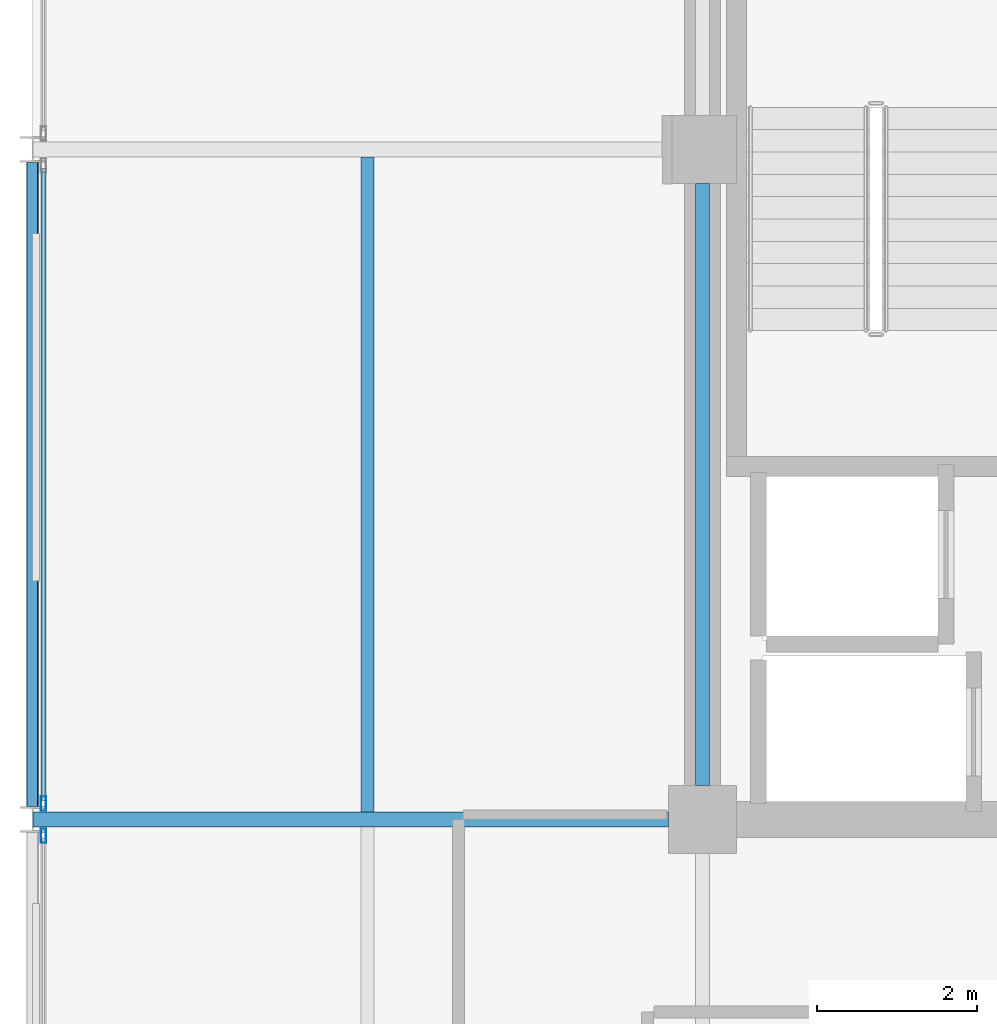
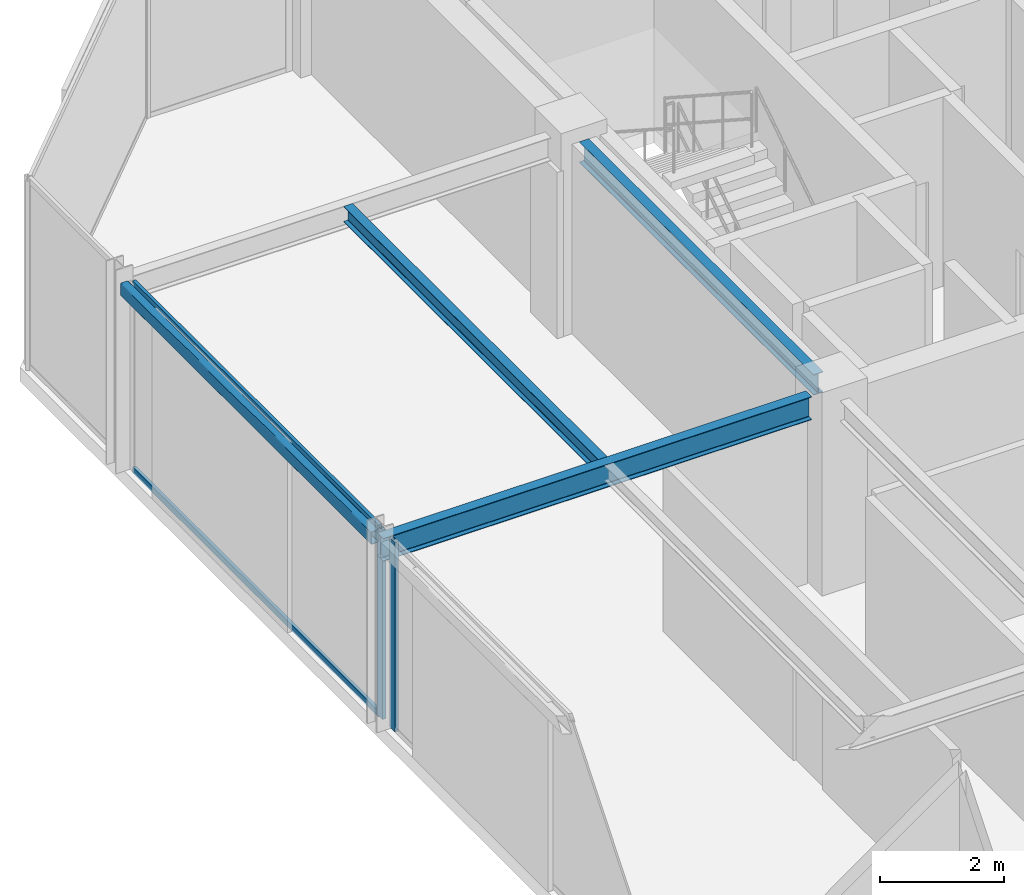
# One storey, part 11 of 26: 4 beams, 4 members, 2 elements without a shape of their own.
"""IFC4 building model written with IfcOpenShell, lengths in metres."""

import ifcopenshell
import ifcopenshell.guid

model = None  # the IFC model being written
_history = None  # IfcOwnerHistory: only IFC2X3 demands one
_inside = {}  # id of a spatial element -> (the spatial element, [elements in it])
_under = {}  # id of a project, library or spatial element -> (it, [spatial elements below it])
_declared = {}  # id of a project -> (the project, [libraries it declares])
_typed = {}  # id of a type object -> (the type object, [elements of that type])
_made_of = {}  # id of a material, layer set ... -> (it, [elements and type objects made of it])


def new_model(schema):
    """Start an empty IFC model of exactly this schema.

    Asked for "IFC4X3", IfcOpenShell would pick the latest addendum, in which some entities
    have other attributes; the version numbers below select the first issue.
    IFC2X3 requires an IfcOwnerHistory on every rooted entity: one is made here for all.
    """
    global model, _history
    if schema == "IFC4X3":
        model = ifcopenshell.file(schema_version=(4, 3, 0, 0))
    else:
        model = ifcopenshell.file(schema=schema)
    _inside.clear()
    _under.clear()
    _declared.clear()
    _typed.clear()
    _made_of.clear()
    _history = None
    if model.schema == "IFC2X3":
        org = make("IfcOrganization", Name="unknown")
        user = make(
            "IfcPersonAndOrganization",
            ThePerson=make("IfcPerson", FamilyName="unknown"),
            TheOrganization=org,
        )
        app = make(
            "IfcApplication",
            ApplicationDeveloper=org,
            Version="unknown",
            ApplicationFullName="unknown",
            ApplicationIdentifier="unknown",
        )
        _history = make(
            "IfcOwnerHistory",
            OwningUser=user,
            OwningApplication=app,
            ChangeAction="ADDED",
            CreationDate=0,
        )
    return model


def make(cls, **values):
    """One entity of the class cls with the attributes given. An attribute that is None is left unset."""
    return model.create_entity(
        cls, **{name: value for name, value in values.items() if value is not None}
    )


def rooted(cls, **values):
    """An entity with a GlobalId (a new one), such as an element, a storey or a relation."""
    return make(cls, GlobalId=ifcopenshell.guid.new(), OwnerHistory=_history, **values)


def si_unit(unit_type, name, prefix=None):
    """IfcSIUnit, for example si_unit("LENGTHUNIT", "METRE", prefix="MILLI")."""
    return make("IfcSIUnit", UnitType=unit_type, Prefix=prefix, Name=name)


def assignment(units):
    """IfcUnitAssignment: the units of a project."""
    return None if units is None else make("IfcUnitAssignment", Units=units)


def point(xyz):
    """IfcCartesianPoint."""
    return None if xyz is None else make("IfcCartesianPoint", Coordinates=xyz)


def direction(xyz):
    """IfcDirection."""
    return None if xyz is None else make("IfcDirection", DirectionRatios=xyz)


def frame(location, z_axis=None, x_axis=None):
    """IfcAxis2Placement3D, a coordinate frame: its origin and axes. An axis left out is left unset."""
    return make(
        "IfcAxis2Placement3D",
        Location=point(location),
        Axis=direction(z_axis),
        RefDirection=direction(x_axis),
    )


def frame_2d(location, x_axis=None):
    """IfcAxis2Placement2D, a coordinate frame in the plane: its origin and x axis."""
    return make(
        "IfcAxis2Placement2D", Location=point(location), RefDirection=direction(x_axis)
    )


def origin():
    """The frame at (0, 0, 0) with its axes left unset."""
    return frame((0.0, 0.0, 0.0))


def origin_2d():
    """The frame at (0, 0) in the plane with its x axis left unset."""
    return frame_2d((0.0, 0.0))


def place(relative_to, where):
    """IfcLocalPlacement: puts the frame where relative to a parent placement (None: the world)."""
    return make(
        "IfcLocalPlacement", PlacementRelTo=relative_to, RelativePlacement=where
    )


def context(
    kind, dimensions, precision=None, world=None, true_north=None, identifier=None
):
    """IfcGeometricRepresentationContext, for example the 3D "Model" context."""
    return make(
        "IfcGeometricRepresentationContext",
        ContextIdentifier=identifier,
        ContextType=kind,
        CoordinateSpaceDimension=dimensions,
        Precision=precision,
        WorldCoordinateSystem=world,
        TrueNorth=true_north,
    )


def subcontext(parent, identifier, kind, view, scale=None):
    """IfcGeometricRepresentationSubContext, for example "Body" below "Model"."""
    return make(
        "IfcGeometricRepresentationSubContext",
        ContextIdentifier=identifier,
        ContextType=kind,
        ParentContext=parent,
        TargetScale=scale,
        TargetView=view,
    )


def project(units=None, contexts=None):
    """IfcProject with its units and contexts."""
    return rooted(
        "IfcProject",
        Name="project",
        RepresentationContexts=contexts,
        UnitsInContext=assignment(units),
    )


def spatial(cls, under=None, at=None, **own):
    """A site, building, storey or space (cls), placed at a placement, below another one or the project."""
    s = rooted(cls, ObjectPlacement=at, **own)
    if under is not None:
        _under.setdefault(under.id(), (under, []))[1].append(s)
    return s


def profile(cls, at=None, kind="AREA", **sizes):
    """A parametric profile (cls). Its sizes go by their IFC names, for example OverallWidth=200.0."""
    return make(cls, ProfileType=kind, Position=at, **sizes)


def hollow_rectangle(**sizes):
    """IfcRectangleHollowProfileDef."""
    return profile("IfcRectangleHollowProfileDef", **sizes)


def i_section(**sizes):
    """IfcIShapeProfileDef."""
    return profile("IfcIShapeProfileDef", **sizes)


def extrude(swept, where, along, depth):
    """IfcExtrudedAreaSolid: the profile swept, set in the frame where, extruded along a direction by depth."""
    return make(
        "IfcExtrudedAreaSolid",
        SweptArea=swept,
        Position=where,
        ExtrudedDirection=direction(along),
        Depth=depth,
    )


def shape(context_of_items, identifier, shape_type, items):
    """IfcShapeRepresentation: the items that make up one representation, for example the "Body"."""
    return make(
        "IfcShapeRepresentation",
        ContextOfItems=context_of_items,
        RepresentationIdentifier=identifier,
        RepresentationType=shape_type,
        Items=items,
    )


def material(Name=None, Category=None):
    """IfcMaterial."""
    return make("IfcMaterial", Name=Name, Category=Category)


def layer(
    of_material, thickness, ventilated=None, Name=None, Category=None, Priority=None
):
    """IfcMaterialLayer: one layer of a wall or slab, of a material (None: an air gap)."""
    return make(
        "IfcMaterialLayer",
        Material=of_material,
        LayerThickness=thickness,
        IsVentilated=ventilated,
        Name=Name,
        Category=Category,
        Priority=Priority,
    )


def layer_set(layers, Name=None):
    """IfcMaterialLayerSet."""
    return make("IfcMaterialLayerSet", MaterialLayers=layers, LayerSetName=Name)


def material_profile(
    of_material, cross_section, Name=None, Category=None, Priority=None
):
    """IfcMaterialProfile: a cross section and its material."""
    return make(
        "IfcMaterialProfile",
        Name=Name,
        Material=of_material,
        Profile=cross_section,
        Priority=Priority,
        Category=Category,
    )


def profile_set(profiles, Name=None, composite=None):
    """IfcMaterialProfileSet."""
    return make(
        "IfcMaterialProfileSet",
        Name=Name,
        MaterialProfiles=profiles,
        CompositeProfile=composite,
    )


def made_of(thing, what):
    """Note that an element or type object is made of a material, layer set ...; save() writes the relation."""
    if what is not None:
        _made_of.setdefault(what.id(), (what, []))[1].append(thing)
    return thing


def type_object(cls, material=None, **own):
    """A type object (cls), such as IfcWallType, which elements share."""
    return made_of(rooted(cls, **own), material)


def element(
    cls,
    number,
    at=None,
    inside=None,
    cuts=None,
    type_object=None,
    material=None,
    context=None,
    identifier="Body",
    shape_type=None,
    held_by="IfcProductDefinitionShape",
    body=None,
    shapes=None,
    **own,
):
    """One element of the class cls, such as IfcWall. Its Tag is "e" and its number.

    at: its placement. inside: the storey or other place that contains it. cuts: it is an
    opening in that element (IfcRelVoidsElement). A single representation is given by context,
    identifier, shape_type and body (its items); several are given by shapes. held_by: the class
    of the entity that holds the representations. save() writes the other relations.
    """
    e = rooted(cls, Tag="e%d" % number, ObjectPlacement=at, **own)
    if body is not None:
        shapes = [shape(context, identifier, shape_type, body)]
    if shapes is not None:
        e.Representation = make(held_by, Representations=shapes)
    if inside is not None:
        _inside.setdefault(inside.id(), (inside, []))[1].append(e)
    if cuts is not None:
        rooted(
            "IfcRelVoidsElement", RelatingBuildingElement=cuts, RelatedOpeningElement=e
        )
    if type_object is not None:
        _typed.setdefault(type_object.id(), (type_object, []))[1].append(e)
    return made_of(e, material)


def aggregate(whole, parts):
    """IfcRelAggregates: a whole, such as a stair, and the parts it consists of."""
    return rooted("IfcRelAggregates", RelatingObject=whole, RelatedObjects=parts)


def save(model, path):
    """Write the relations noted so far, then the file.

    IfcRelAggregates (storeys below a building ...), IfcRelContainedInSpatialStructure (elements
    in a storey), IfcRelDefinesByType, IfcRelAssociatesMaterial and IfcRelDeclares: one each for
    every whole, place, type object, material and project.
    """
    for whole, parts in _under.values():
        aggregate(whole, parts)
    for where, things in _inside.values():
        rooted(
            "IfcRelContainedInSpatialStructure",
            RelatedElements=things,
            RelatingStructure=where,
        )
    for kind, things in _typed.values():
        rooted("IfcRelDefinesByType", RelatedObjects=things, RelatingType=kind)
    for what, things in _made_of.values():
        rooted("IfcRelAssociatesMaterial", RelatedObjects=things, RelatingMaterial=what)
    for by, libraries in _declared.values():
        rooted("IfcRelDeclares", RelatingContext=by, RelatedDefinitions=libraries)
    model.write(path)


model = new_model("IFC4")

# Units and contexts
model_context = context("Model", 3, precision=1e-05, world=origin(), true_north=direction((0.0, 1.0)))
body_context = subcontext(model_context, "Body", "Model", "MODEL_VIEW")
ifc_project = project(units=[si_unit("LENGTHUNIT", "METRE"), si_unit("AREAUNIT", "SQUARE_METRE"), si_unit("VOLUMEUNIT", "CUBIC_METRE"), si_unit("PLANEANGLEUNIT", "RADIAN"), si_unit("MASSUNIT", "GRAM", prefix="KILO")], contexts=[model_context])

# Site, building, storey
site_placement = place(None, origin())
site = spatial("IfcSite", under=ifc_project, at=site_placement, CompositionType="ELEMENT")
building_placement = place(site_placement, origin())
building = spatial("IfcBuilding", under=site, at=building_placement, Name="Nerrivon Quay Data Exchange", CompositionType="ELEMENT")
storey_placement = place(building_placement, frame((0.0, 0.0, 274.199951171875)))
storey = spatial("IfcBuildingStorey", under=building, at=storey_placement, Name="L65", CompositionType="ELEMENT", Elevation=274.199951171875)

# Beams
ifc_material_1 = material(Name="Steel Grade 350", Category="steel")
ifc_material_profile_1 = material_profile(ifc_material_1, i_section(OverallWidth=0.18994140625, OverallDepth=0.4541015625, WebThickness=0.008544921875, FlangeThickness=0.0126953125, FilletRadius=0.011474609375, at=origin_2d()), Name="460UB67.1")
ifc_profile_set_1 = profile_set([ifc_material_profile_1], Name="Steel Grade 350")
beam_type_1 = type_object("IfcBeamType", Name="BM-G6-460UB67", PredefinedType="BEAM", material=ifc_profile_set_1)
beam_1_placement = place(storey_placement, frame((0.0078125, 25.199951171875, 3.498046875), z_axis=(1.0, 0.0, 0.0), x_axis=(0.0, 1.0, 0.0)))
element("IfcBeam", 1, at=beam_1_placement, inside=storey, type_object=beam_type_1, Name="L65 EW Girder Y=25.2 (0.0..8.4)", PredefinedType="BEAM", context=body_context, shape_type="SweptSolid", body=[
    extrude(i_section(OverallWidth=0.18994140625, OverallDepth=0.4541015625, WebThickness=0.008544921875, FlangeThickness=0.0126953125, FilletRadius=0.011474609375, at=origin_2d()), origin(), (0.0, 0.0, 1.0), 7.96728515625),
])
ifc_material_profile_2 = material_profile(ifc_material_1, i_section(OverallWidth=0.177978515625, OverallDepth=0.406005859375, WebThickness=0.0078125, FlangeThickness=0.0126953125, FilletRadius=0.011474609375, at=origin_2d()), Name="410UB59.7")
ifc_profile_set_2 = profile_set([ifc_material_profile_2], Name="Steel Grade 350")
beam_type_2 = type_object("IfcBeamType", Name="BM-J1-410UB60", PredefinedType="JOIST", material=ifc_profile_set_2)
beam_2_placement = place(storey_placement, frame((8.39990234375, 25.625, 3.52197265625), z_axis=(0.0, 1.0, 0.0), x_axis=(-1.0, 0.0, 0.0)))
element("IfcBeam", 2, at=beam_2_placement, inside=storey, type_object=beam_type_2, Name="L65 NS Girder X=8.4 (25.2..33.6)", PredefinedType="JOIST", context=body_context, shape_type="SweptSolid", body=[
    extrude(i_section(OverallWidth=0.177978515625, OverallDepth=0.406005859375, WebThickness=0.0078125, FlangeThickness=0.0126953125, FilletRadius=0.011474609375, at=origin_2d()), origin(), (0.0, 0.0, 1.0), 7.550048828125),
])
ifc_material_profile_3 = material_profile(ifc_material_1, i_section(OverallWidth=0.1650390625, OverallDepth=0.303955078125, WebThickness=0.006103515625, FlangeThickness=0.01025390625, FilletRadius=0.011474609375, at=origin_2d()), Name="310UB40.4")
ifc_profile_set_3 = profile_set([ifc_material_profile_3], Name="Steel Grade 350")
beam_type_3 = type_object("IfcBeamType", Name="BM-J6-310UB40", PredefinedType="JOIST", material=ifc_profile_set_3)
beam_3_placement = place(storey_placement, frame((4.199951171875, 25.294921875, 3.572998046875), z_axis=(0.0, 1.0, 0.0), x_axis=(-1.0, 0.0, 0.0)))
element("IfcBeam", 3, at=beam_3_placement, inside=storey, type_object=beam_type_3, Name="L65 Secondary Joist X=4.2 (25.2..33.6)", PredefinedType="JOIST", context=body_context, shape_type="SweptSolid", body=[
    extrude(i_section(OverallWidth=0.1650390625, OverallDepth=0.303955078125, WebThickness=0.006103515625, FlangeThickness=0.01025390625, FilletRadius=0.011474609375, at=origin_2d()), origin(), (0.0, 0.0, 1.0), 8.2099609375),
])
ifc_material_2 = material(Name="Steel Grade C350L0 (350 MPa)", Category="steel")
ifc_material_profile_4 = material_profile(ifc_material_2, hollow_rectangle(XDim=0.14990234375, YDim=0.25, WallThickness=0.009033203125, InnerFilletRadius=0.013427734375, OuterFilletRadius=0.0224609375, at=origin_2d()), Name="250x150x9.0RHS")
ifc_profile_set_4 = profile_set([ifc_material_profile_4], Name="Steel Grade C350L0 (350 MPa)")
beam_type_4 = type_object("IfcBeamType", Name="BM-SP4-250x150RHS", PredefinedType="SPANDREL", material=ifc_profile_set_4)
beam_4_placement = place(storey_placement, frame((0.0, 25.363525390625, 3.60009765625), z_axis=(0.0, 1.0, 0.0), x_axis=(-1.0, 0.0, 0.0)))
element("IfcBeam", 4, at=beam_4_placement, inside=storey, type_object=beam_type_4, Name="L65 NS Girder X=0.0 (25.2..33.6)", PredefinedType="SPANDREL", context=body_context, shape_type="SweptSolid", body=[
    extrude(hollow_rectangle(XDim=0.14990234375, YDim=0.25, WallThickness=0.009033203125, InnerFilletRadius=0.013427734375, OuterFilletRadius=0.0224609375, at=origin_2d()), origin(), (0.0, 0.0, 1.0), 8.072998046875),
])

# Curtain wall, member
ifc_material_3 = material(Name="Anodised aluminium 6063-T6", Category="aluminium")
ifc_layer = layer(ifc_material_3, 0.195068359375)
ifc_layer_set = layer_set([ifc_layer], Name="Anodised aluminium 6063-T6")
curtain_wall_type = type_object("IfcCurtainWallType", Name="CW-SYS-06", PredefinedType="NOTDEFINED", material=ifc_layer_set)
curtain_wall_1_placement = place(storey_placement, origin())
curtain_wall_1 = element("IfcCurtainWall", 5, at=curtain_wall_1_placement, inside=storey, type_object=curtain_wall_type, Name="L65 Unitised Curtain Wall 13", PredefinedType="NOTDEFINED")
ifc_material_profile_5 = material_profile(ifc_material_3, hollow_rectangle(XDim=0.06494140625, YDim=0.179931640625, WallThickness=0.00341796875, at=origin_2d()), Name="ALU-MULL-180x65")
ifc_profile_set_5 = profile_set([ifc_material_profile_5], Name="Anodised aluminium 6063-T6")
member_type_1 = type_object("IfcMemberType", Name="CWM-180x65", PredefinedType="MULLION", material=ifc_profile_set_5)
member_1_placement = place(storey_placement, frame((0.139892578125, 24.9990234375, 0.0), z_axis=(0.0, 0.0, 1.0), x_axis=(-1.0, 0.0, 0.0)))
member_1 = element("IfcMember", 6, at=member_1_placement, type_object=member_type_1, Name="CW06 mullion 2", PredefinedType="MULLION", context=body_context, shape_type="SweptSolid", body=[
    extrude(hollow_rectangle(XDim=0.06494140625, YDim=0.179931640625, WallThickness=0.00341796875, at=origin_2d()), origin(), (0.0, 0.0, 1.0), 3.72509765625),
])
aggregate(curtain_wall_1, [member_1])

# Curtain wall, members
curtain_wall_2_placement = place(storey_placement, origin())
curtain_wall_2 = element("IfcCurtainWall", 7, at=curtain_wall_2_placement, inside=storey, type_object=curtain_wall_type, Name="L65 Unitised Curtain Wall 14", PredefinedType="NOTDEFINED")
member_2_placement = place(storey_placement, frame((0.139892578125, 25.40087890625, 0.0), z_axis=(0.0, 0.0, 1.0), x_axis=(-1.0, 0.0, 0.0)))
member_2 = element("IfcMember", 8, at=member_2_placement, type_object=member_type_1, Name="CW06 mullion 1", PredefinedType="MULLION", context=body_context, shape_type="SweptSolid", body=[
    extrude(hollow_rectangle(XDim=0.06494140625, YDim=0.179931640625, WallThickness=0.00341796875, at=origin_2d()), origin(), (0.0, 0.0, 1.0), 3.72509765625),
])
ifc_material_profile_6 = material_profile(ifc_material_3, hollow_rectangle(XDim=0.06005859375, YDim=0.1201171875, WallThickness=0.003173828125, at=origin_2d()), Name="ALU-TRAN-120x60")
ifc_profile_set_6 = profile_set([ifc_material_profile_6], Name="Anodised aluminium 6063-T6")
member_type_2 = type_object("IfcMemberType", Name="CWT-120x60", PredefinedType="USERDEFINED", material=ifc_profile_set_6)
member_3_placement = place(storey_placement, frame((0.139892578125, 25.4384765625, 0.032470703125), z_axis=(0.0, 1.0, 0.0), x_axis=(-1.0, 0.0, 0.0)))
member_3 = element("IfcMember", 9, at=member_3_placement, type_object=member_type_2, Name="CW06 transom 1.1", ObjectType="TRANSOM", PredefinedType="USERDEFINED", context=body_context, shape_type="SweptSolid", body=[
    extrude(hollow_rectangle(XDim=0.06005859375, YDim=0.1201171875, WallThickness=0.003173828125, at=origin_2d()), origin(), (0.0, 0.0, 1.0), 7.923095703125),
])
member_4_placement = place(storey_placement, frame((0.139892578125, 25.4384765625, 3.692626953125), z_axis=(0.0, 1.0, 0.0), x_axis=(-1.0, 0.0, 0.0)))
member_4 = element("IfcMember", 10, at=member_4_placement, type_object=member_type_2, Name="CW06 transom 1.2", ObjectType="TRANSOM", PredefinedType="USERDEFINED", context=body_context, shape_type="SweptSolid", body=[
    extrude(hollow_rectangle(XDim=0.06005859375, YDim=0.1201171875, WallThickness=0.003173828125, at=origin_2d()), origin(), (0.0, 0.0, 1.0), 7.923095703125),
])
aggregate(curtain_wall_2, [member_2, member_3, member_4])

save(model, "model.ifc")
